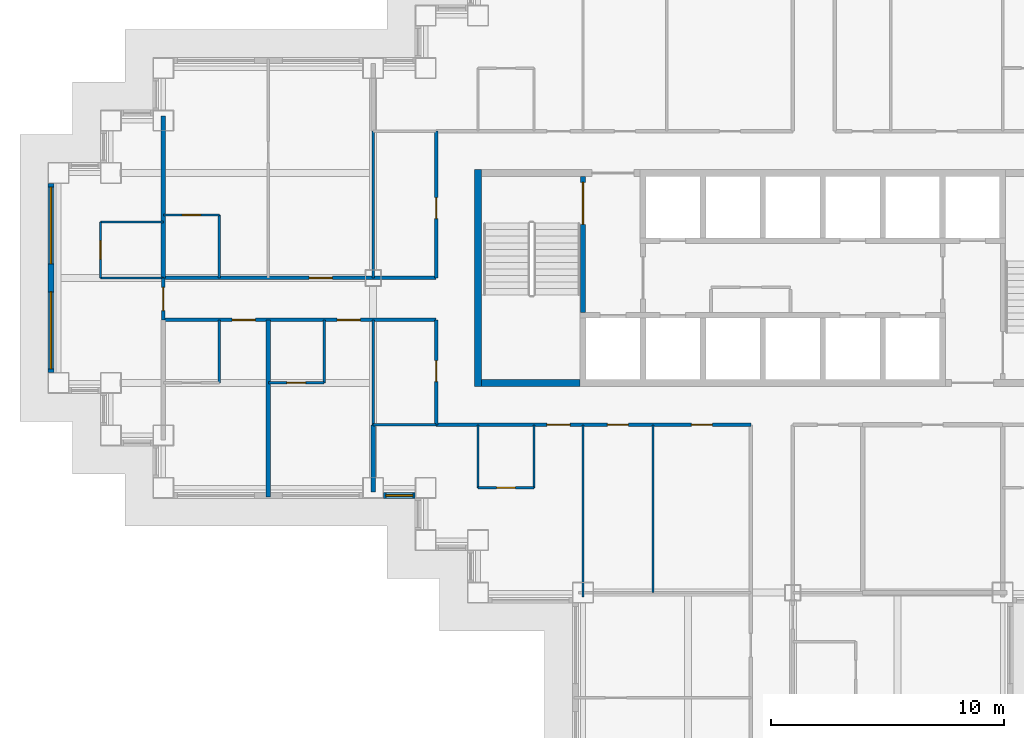
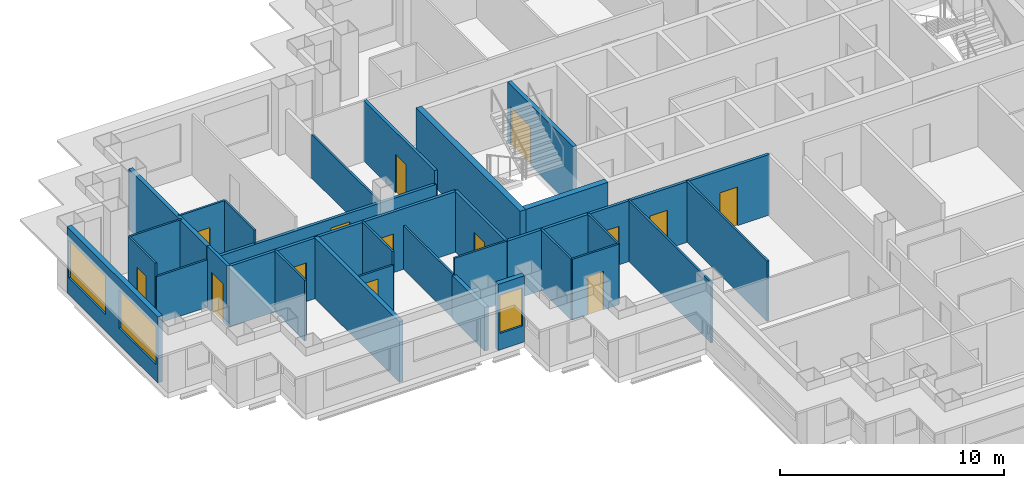
# One storey, part 4 of 15: 30 walls, 14 doors, 3 windows, 17 openings.
"""IFC4 building model written with IfcOpenShell, lengths in metres."""

from ifc_helpers import new_model, si_unit, direction, frame, frame_2d, origin, place, context, subcontext, project, spatial, rectangle, extrude, material, layer, layer_set, type_object, element, fill, save


model = new_model("IFC4")

# Units and contexts
model_context = context("Model", 3, precision=1e-05, world=origin(), true_north=direction((0.0, 1.0)))
body_context = subcontext(model_context, "Body", "Model", "MODEL_VIEW")
ifc_project = project(units=[si_unit("LENGTHUNIT", "METRE"), si_unit("AREAUNIT", "SQUARE_METRE"), si_unit("VOLUMEUNIT", "CUBIC_METRE"), si_unit("PLANEANGLEUNIT", "RADIAN"), si_unit("MASSUNIT", "GRAM", prefix="KILO")], contexts=[model_context])

# Site, building, storey
site_placement = place(None, origin())
site = spatial("IfcSite", under=ifc_project, at=site_placement, CompositionType="ELEMENT")
building_placement = place(site_placement, origin())
building = spatial("IfcBuilding", under=site, at=building_placement, Name="Caravel Reach Hotel and Residences", CompositionType="ELEMENT")
storey_placement = place(building_placement, frame((0.0, 0.0, 104.39990234375)))
storey = spatial("IfcBuildingStorey", under=building, at=storey_placement, Name="L25", CompositionType="ELEMENT", Elevation=104.39990234375)

# Wall, opening, door
ifc_material_1 = material(Name="Gypsum board on steel stud", Category="steel")
ifc_layer_1 = layer(ifc_material_1, 0.10009765625)
ifc_layer_set_1 = layer_set([ifc_layer_1], Name="Bathroom pod wall 100 mm")
wall_type_1 = type_object("IfcWallType", Name="Bathroom pod wall 100 mm", PredefinedType="PARTITIONING", material=ifc_layer_set_1)
wall_1_placement = place(storey_placement, frame((18.0, 18.0, 0.0), z_axis=(0.0, 0.0, 1.0), x_axis=(1.0, 0.0, 0.0)))
wall_1 = element("IfcWall", 1, at=wall_1_placement, inside=storey, type_object=wall_type_1, Name="L25 wall w083", PredefinedType="PARTITIONING", context=body_context, shape_type="SweptSolid", body=[
    extrude(rectangle(XDim=2.39990234375, YDim=0.10009765625, at=frame_2d((1.199951171875, 0.0))), origin(), (0.0, 0.0, 1.0), 3.300048828125),
])
opening_1_placement = place(wall_1_placement, frame((0.800048828125, 0.0, 0.0)))
opening_1 = element("IfcOpeningElement", 2, at=opening_1_placement, cuts=wall_1, Name="Opening D25-050", PredefinedType="OPENING", context=body_context, shape_type="SweptSolid", body=[
    extrude(rectangle(XDim=0.800048828125, YDim=2.10009765625, at=frame_2d((0.39990234375, 1.050048828125))), frame((0.0, 0.06005859375, 0.0), z_axis=(0.0, -1.0, 0.0), x_axis=(1.0, 0.0, 0.0)), (0.0, 0.0, 1.0), 0.1201171875),
])
ifc_material_2 = material(Name="Timber and steel door leaf", Category="steel")
door_type_1 = type_object("IfcDoorType", Name="Bathroom door 800 x 2100", OperationType="SINGLE_SWING_LEFT", PredefinedType="DOOR", material=ifc_material_2)
door_1_placement = place(opening_1_placement, origin())
door_1 = element("IfcDoor", 3, at=door_1_placement, inside=storey, type_object=door_type_1, Name="door D25-050", OperationType="SINGLE_SWING_RIGHT", OverallHeight=2.10009765625, OverallWidth=0.800048828125, PredefinedType="DOOR", context=body_context, shape_type="SweptSolid", body=[
    extrude(rectangle(XDim=0.800048828125, YDim=2.10009765625, at=frame_2d((0.39990234375, 1.050048828125))), frame((0.0, 0.02490234375, 0.0), z_axis=(0.0, -1.0, 0.0), x_axis=(1.0, 0.0, 0.0)), (0.0, 0.0, 1.0), 0.050048828125),
])
fill(opening_1, door_1)

wall_2_placement = place(storey_placement, frame((9.0, 22.5, 0.0), z_axis=(0.0, 0.0, 1.0), x_axis=(1.0, 0.0, 0.0)))
wall_2 = element("IfcWall", 4, at=wall_2_placement, inside=storey, type_object=wall_type_1, Name="L25 wall w085", PredefinedType="PARTITIONING", context=body_context, shape_type="SweptSolid", body=[
    extrude(rectangle(XDim=2.39990234375, YDim=0.10009765625, at=frame_2d((1.199951171875, 0.0))), origin(), (0.0, 0.0, 1.0), 2.580078125),
])
opening_2_placement = place(wall_2_placement, frame((0.800048828125, 0.0, 0.0)))
opening_2 = element("IfcOpeningElement", 5, at=opening_2_placement, cuts=wall_2, Name="Opening D25-016", PredefinedType="OPENING", context=body_context, shape_type="SweptSolid", body=[
    extrude(rectangle(XDim=0.800048828125, YDim=2.10009765625, at=frame_2d((0.39990234375, 1.050048828125))), frame((0.0, 0.06005859375, 0.0), z_axis=(0.0, -1.0, 0.0), x_axis=(1.0, 0.0, 0.0)), (0.0, 0.0, 1.0), 0.1201171875),
])
door_2_placement = place(opening_2_placement, origin())
door_2 = element("IfcDoor", 6, at=door_2_placement, inside=storey, type_object=door_type_1, Name="door D25-016", OperationType="SINGLE_SWING_LEFT", OverallHeight=2.10009765625, OverallWidth=0.800048828125, PredefinedType="DOOR", context=body_context, shape_type="SweptSolid", body=[
    extrude(rectangle(XDim=0.800048828125, YDim=2.10009765625, at=frame_2d((0.39990234375, 1.050048828125))), frame((0.0, 0.02490234375, 0.0), z_axis=(0.0, -1.0, 0.0), x_axis=(1.0, 0.0, 0.0)), (0.0, 0.0, 1.0), 0.050048828125),
])
fill(opening_2, door_2)

# Walls
wall_3_placement = place(storey_placement, frame((1.800048828125, 27.0, 0.0), z_axis=(0.0, 0.0, 1.0), x_axis=(1.0, 0.0, 0.0)))
element("IfcWall", 7, at=wall_3_placement, inside=storey, type_object=wall_type_1, Name="L25 wall w088", PredefinedType="PARTITIONING", context=body_context, shape_type="SweptSolid", body=[
    extrude(rectangle(XDim=2.699951171875, YDim=0.10009765625, at=frame_2d((1.35009765625, 0.0))), origin(), (0.0, 0.0, 1.0), 2.580078125),
])
wall_4_placement = place(storey_placement, frame((1.800048828125, 29.39990234375, 0.0), z_axis=(0.0, 0.0, 1.0), x_axis=(1.0, 0.0, 0.0)))
element("IfcWall", 8, at=wall_4_placement, inside=storey, type_object=wall_type_1, Name="L25 wall w089", PredefinedType="PARTITIONING", context=body_context, shape_type="SweptSolid", body=[
    extrude(rectangle(XDim=2.699951171875, YDim=0.10009765625, at=frame_2d((1.35009765625, 0.0))), origin(), (0.0, 0.0, 1.0), 3.300048828125),
])

# Wall, opening, door
wall_5_placement = place(storey_placement, frame((4.5, 29.699951171875, 0.0), z_axis=(0.0, 0.0, 1.0), x_axis=(1.0, 0.0, 0.0)))
wall_5 = element("IfcWall", 9, at=wall_5_placement, inside=storey, type_object=wall_type_1, Name="L25 wall w090", PredefinedType="PARTITIONING", context=body_context, shape_type="SweptSolid", body=[
    extrude(rectangle(XDim=2.39990234375, YDim=0.10009765625, at=frame_2d((1.199951171875, 0.0))), origin(), (0.0, 0.0, 1.0), 3.300048828125),
])
opening_3_placement = place(wall_5_placement, frame((0.800048828125, 0.0, 0.0)))
opening_3 = element("IfcOpeningElement", 10, at=opening_3_placement, cuts=wall_5, Name="Opening D25-021", PredefinedType="OPENING", context=body_context, shape_type="SweptSolid", body=[
    extrude(rectangle(XDim=0.800048828125, YDim=2.10009765625, at=frame_2d((0.39990234375, 1.050048828125))), frame((0.0, 0.06005859375, 0.0), z_axis=(0.0, -1.0, 0.0), x_axis=(1.0, 0.0, 0.0)), (0.0, 0.0, 1.0), 0.1201171875),
])
door_3_placement = place(opening_3_placement, origin())
door_3 = element("IfcDoor", 11, at=door_3_placement, inside=storey, type_object=door_type_1, Name="door D25-021", OperationType="SINGLE_SWING_LEFT", OverallHeight=2.10009765625, OverallWidth=0.800048828125, PredefinedType="DOOR", context=body_context, shape_type="SweptSolid", body=[
    extrude(rectangle(XDim=0.800048828125, YDim=2.10009765625, at=frame_2d((0.39990234375, 1.050048828125))), frame((0.0, 0.02490234375, 0.0), z_axis=(0.0, -1.0, 0.0), x_axis=(1.0, 0.0, 0.0)), (0.0, 0.0, 1.0), 0.050048828125),
])
fill(opening_3, door_3)

wall_6_placement = place(storey_placement, frame((1.800048828125, 27.0, 0.0), z_axis=(0.0, 0.0, 1.0), x_axis=(0.0, 1.0, 0.0)))
wall_6 = element("IfcWall", 12, at=wall_6_placement, inside=storey, type_object=wall_type_1, Name="L25 wall w098", PredefinedType="PARTITIONING", context=body_context, shape_type="SweptSolid", body=[
    extrude(rectangle(XDim=2.39990234375, YDim=0.10009765625, at=frame_2d((1.199951171875, 0.0))), origin(), (0.0, 0.0, 1.0), 3.300048828125),
])
opening_4_placement = place(wall_6_placement, frame((0.800048828125, 0.0, 0.0)))
opening_4 = element("IfcOpeningElement", 13, at=opening_4_placement, cuts=wall_6, Name="Opening D25-040", PredefinedType="OPENING", context=body_context, shape_type="SweptSolid", body=[
    extrude(rectangle(XDim=0.800048828125, YDim=2.10009765625, at=frame_2d((0.39990234375, 1.050048828125))), frame((0.0, 0.06005859375, 0.0), z_axis=(0.0, -1.0, 0.0), x_axis=(1.0, 0.0, 0.0)), (0.0, 0.0, 1.0), 0.1201171875),
])
door_4_placement = place(opening_4_placement, origin())
door_4 = element("IfcDoor", 14, at=door_4_placement, inside=storey, type_object=door_type_1, Name="door D25-040", OperationType="SINGLE_SWING_LEFT", OverallHeight=2.10009765625, OverallWidth=0.800048828125, PredefinedType="DOOR", context=body_context, shape_type="SweptSolid", body=[
    extrude(rectangle(XDim=0.800048828125, YDim=2.10009765625, at=frame_2d((0.39990234375, 1.050048828125))), frame((0.0, 0.02490234375, 0.0), z_axis=(0.0, -1.0, 0.0), x_axis=(1.0, 0.0, 0.0)), (0.0, 0.0, 1.0), 0.050048828125),
])
fill(opening_4, door_4)

# Walls
for number, where, z_axis, x_axis, name in (
    (15, (11.39990234375, 22.5, 0.0), (0.0, 0.0, 1.0), (0.0, 1.0, 0.0), "L25 wall w099"),
    (16, (18.0, 18.0, 0.0), (0.0, 0.0, 1.0), (0.0, 1.0, 0.0), "L25 wall w101"),
    (17, (20.39990234375, 18.0, 0.0), (0.0, 0.0, 1.0), (0.0, 1.0, 0.0), "L25 wall w103"),
    (18, (6.89990234375, 22.5, 0.0), (0.0, 0.0, 1.0), (0.0, 1.0, 0.0), "L25 wall w115"),
    (19, (6.89990234375, 27.0, 0.0), (0.0, 0.0, 1.0), (0.0, 1.0, 0.0), "L25 wall w116"),
):
    element("IfcWall", number, at=place(storey_placement, frame(where, z_axis=z_axis, x_axis=x_axis)), inside=storey, type_object=wall_type_1, Name=name, PredefinedType="PARTITIONING", context=body_context, shape_type="SweptSolid", body=[
        extrude(rectangle(XDim=2.699951171875, YDim=0.10009765625, at=frame_2d((1.35009765625, 0.0))), origin(), (0.0, 0.0, 1.0), 3.300048828125),
    ])
ifc_material_3 = material(Name="Concrete C60", Category="concrete")
ifc_layer_2 = layer(ifc_material_3, 0.300048828125)
ifc_layer_set_2 = layer_set([ifc_layer_2], Name="Core wall 300 mm EI 120")
wall_type_2 = type_object("IfcWallType", Name="Core wall 300 mm EI 120", PredefinedType="SHEAR", material=ifc_layer_set_2)
wall_7_placement = place(storey_placement, frame((18.14990234375, 22.5, 0.0), z_axis=(0.0, 0.0, 1.0), x_axis=(1.0, 0.0, 0.0)))
element("IfcWall", 20, at=wall_7_placement, inside=storey, type_object=wall_type_2, Name="L25 core wall S1", PredefinedType="SHEAR", context=body_context, shape_type="SweptSolid", body=[
    extrude(rectangle(XDim=4.22509765625, YDim=0.300048828125, at=frame_2d((2.112548828125, 0.0))), origin(), (0.0, 0.0, 1.0), 3.300048828125),
])
wall_8_placement = place(storey_placement, frame((18.0, 22.35009765625, 0.0), z_axis=(0.0, 0.0, 1.0), x_axis=(0.0, 1.0, 0.0)))
element("IfcWall", 21, at=wall_8_placement, inside=storey, type_object=wall_type_2, Name="L25 core wall W", PredefinedType="SHEAR", context=body_context, shape_type="SweptSolid", body=[
    extrude(rectangle(XDim=9.2998046875, YDim=0.300048828125, at=frame_2d((4.64990234375, 0.0))), origin(), (0.0, 0.0, 1.0), 3.300048828125),
])

# Wall, openings, doors
ifc_material_4 = material(Name="Gypsum board on steel stud, fire-rated", Category="steel")
ifc_layer_3 = layer(ifc_material_4, 0.14990234375)
ifc_layer_set_3 = layer_set([ifc_layer_3], Name="Corridor wall 150 mm EI 60")
wall_type_3 = type_object("IfcWallType", Name="Corridor wall 150 mm EI 60", PredefinedType="PARTITIONING", material=ifc_layer_set_3)
wall_9_placement = place(storey_placement, frame((16.199951171875, 20.699951171875, 0.0), z_axis=(0.0, 0.0, 1.0), x_axis=(1.0, 0.0, 0.0)))
wall_9 = element("IfcWall", 22, at=wall_9_placement, inside=storey, type_object=wall_type_3, Name="L25 wall w001", PredefinedType="PARTITIONING", context=body_context, shape_type="SweptSolid", body=[
    extrude(rectangle(XDim=13.5, YDim=0.14990234375, at=frame_2d((6.75, 0.0))), origin(), (0.0, 0.0, 1.0), 3.300048828125),
])
opening_5_placement = place(wall_9_placement, frame((4.75, 0.0, 0.0)))
opening_5 = element("IfcOpeningElement", 23, at=opening_5_placement, cuts=wall_9, Name="Opening D25-049", PredefinedType="OPENING", context=body_context, shape_type="SweptSolid", body=[
    extrude(rectangle(XDim=1.0, YDim=2.10009765625, at=frame_2d((0.5, 1.050048828125))), frame((0.0, 0.0849609375, 0.0), z_axis=(0.0, -1.0, 0.0), x_axis=(1.0, 0.0, 0.0)), (0.0, 0.0, 1.0), 0.169921875),
])
opening_6_placement = place(wall_9_placement, frame((7.35009765625, 0.0, 0.0)))
opening_6 = element("IfcOpeningElement", 24, at=opening_6_placement, cuts=wall_9, Name="Opening D25-057", PredefinedType="OPENING", context=body_context, shape_type="SweptSolid", body=[
    extrude(rectangle(XDim=0.89990234375, YDim=2.10009765625, at=frame_2d((0.449951171875, 1.050048828125))), frame((0.0, 0.0849609375, 0.0), z_axis=(0.0, -1.0, 0.0), x_axis=(1.0, 0.0, 0.0)), (0.0, 0.0, 1.0), 0.169921875),
])
opening_7_placement = place(wall_9_placement, frame((10.949951171875, 0.0, 0.0)))
opening_7 = element("IfcOpeningElement", 25, at=opening_7_placement, cuts=wall_9, Name="Opening D25-058", PredefinedType="OPENING", context=body_context, shape_type="SweptSolid", body=[
    extrude(rectangle(XDim=0.89990234375, YDim=2.10009765625, at=frame_2d((0.449951171875, 1.050048828125))), frame((0.0, 0.0849609375, 0.0), z_axis=(0.0, -1.0, 0.0), x_axis=(1.0, 0.0, 0.0)), (0.0, 0.0, 1.0), 0.169921875),
])
ifc_material_5 = material(Name="Timber and steel door leaf", Category="steel")
door_type_2 = type_object("IfcDoorType", Name="Door 900 x 2100 timber", OperationType="SINGLE_SWING_LEFT", PredefinedType="DOOR", material=ifc_material_5)
door_5_placement = place(opening_6_placement, origin())
door_5 = element("IfcDoor", 26, at=door_5_placement, inside=storey, type_object=door_type_2, Name="door D25-057", OperationType="SINGLE_SWING_RIGHT", OverallHeight=2.10009765625, OverallWidth=0.89990234375, PredefinedType="DOOR", context=body_context, shape_type="SweptSolid", body=[
    extrude(rectangle(XDim=0.89990234375, YDim=2.10009765625, at=frame_2d((0.449951171875, 1.050048828125))), frame((0.0, 0.02490234375, 0.0), z_axis=(0.0, -1.0, 0.0), x_axis=(1.0, 0.0, 0.0)), (0.0, 0.0, 1.0), 0.050048828125),
])
fill(opening_6, door_5)
door_6_placement = place(opening_7_placement, origin())
door_6 = element("IfcDoor", 27, at=door_6_placement, inside=storey, type_object=door_type_2, Name="door D25-058", OperationType="SINGLE_SWING_RIGHT", OverallHeight=2.10009765625, OverallWidth=0.89990234375, PredefinedType="DOOR", context=body_context, shape_type="SweptSolid", body=[
    extrude(rectangle(XDim=0.89990234375, YDim=2.10009765625, at=frame_2d((0.449951171875, 1.050048828125))), frame((0.0, 0.02490234375, 0.0), z_axis=(0.0, -1.0, 0.0), x_axis=(1.0, 0.0, 0.0)), (0.0, 0.0, 1.0), 0.050048828125),
])
fill(opening_7, door_6)
ifc_material_6 = material(Name="Steel fire door leaf", Category="steel")
door_type_3 = type_object("IfcDoorType", Name="Guest room door 1000 x 2100 EI 30", OperationType="SINGLE_SWING_LEFT", PredefinedType="DOOR", material=ifc_material_6)
door_7_placement = place(opening_5_placement, origin())
door_7 = element("IfcDoor", 28, at=door_7_placement, inside=storey, type_object=door_type_3, Name="door D25-049", OperationType="SINGLE_SWING_RIGHT", OverallHeight=2.10009765625, OverallWidth=1.0, PredefinedType="DOOR", context=body_context, shape_type="SweptSolid", body=[
    extrude(rectangle(XDim=1.0, YDim=2.10009765625, at=frame_2d((0.5, 1.050048828125))), frame((0.0, 0.02490234375, 0.0), z_axis=(0.0, -1.0, 0.0), x_axis=(1.0, 0.0, 0.0)), (0.0, 0.0, 1.0), 0.050048828125),
])
fill(opening_5, door_7)

wall_10_placement = place(storey_placement, frame((4.5, 25.199951171875, 0.0), z_axis=(0.0, 0.0, 1.0), x_axis=(1.0, 0.0, 0.0)))
wall_10 = element("IfcWall", 29, at=wall_10_placement, inside=storey, type_object=wall_type_3, Name="L25 wall w007", PredefinedType="PARTITIONING", context=body_context, shape_type="SweptSolid", body=[
    extrude(rectangle(XDim=11.699951171875, YDim=0.14990234375, at=frame_2d((5.85009765625, 0.0))), origin(), (0.0, 0.0, 1.0), 3.300048828125),
])
opening_8_placement = place(wall_10_placement, frame((7.449951171875, 0.0, 0.0)))
opening_8 = element("IfcOpeningElement", 30, at=opening_8_placement, cuts=wall_10, Name="Opening D25-015", PredefinedType="OPENING", context=body_context, shape_type="SweptSolid", body=[
    extrude(rectangle(XDim=1.0, YDim=2.10009765625, at=frame_2d((0.5, 1.050048828125))), frame((0.0, 0.0849609375, 0.0), z_axis=(0.0, -1.0, 0.0), x_axis=(1.0, 0.0, 0.0)), (0.0, 0.0, 1.0), 0.169921875),
])
opening_9_placement = place(wall_10_placement, frame((2.949951171875, 0.0, 0.0)))
opening_9 = element("IfcOpeningElement", 31, at=opening_9_placement, cuts=wall_10, Name="Opening D25-017", PredefinedType="OPENING", context=body_context, shape_type="SweptSolid", body=[
    extrude(rectangle(XDim=1.0, YDim=2.10009765625, at=frame_2d((0.5, 1.050048828125))), frame((0.0, 0.0849609375, 0.0), z_axis=(0.0, -1.0, 0.0), x_axis=(1.0, 0.0, 0.0)), (0.0, 0.0, 1.0), 0.169921875),
])
door_8_placement = place(opening_8_placement, origin())
door_8 = element("IfcDoor", 32, at=door_8_placement, inside=storey, type_object=door_type_3, Name="door D25-015", OperationType="SINGLE_SWING_RIGHT", OverallHeight=2.10009765625, OverallWidth=1.0, PredefinedType="DOOR", context=body_context, shape_type="SweptSolid", body=[
    extrude(rectangle(XDim=1.0, YDim=2.10009765625, at=frame_2d((0.5, 1.050048828125))), frame((0.0, 0.02490234375, 0.0), z_axis=(0.0, -1.0, 0.0), x_axis=(1.0, 0.0, 0.0)), (0.0, 0.0, 1.0), 0.050048828125),
])
fill(opening_8, door_8)
door_9_placement = place(opening_9_placement, origin())
door_9 = element("IfcDoor", 33, at=door_9_placement, inside=storey, type_object=door_type_3, Name="door D25-017", OperationType="SINGLE_SWING_RIGHT", OverallHeight=2.10009765625, OverallWidth=1.0, PredefinedType="DOOR", context=body_context, shape_type="SweptSolid", body=[
    extrude(rectangle(XDim=1.0, YDim=2.10009765625, at=frame_2d((0.5, 1.050048828125))), frame((0.0, 0.02490234375, 0.0), z_axis=(0.0, -1.0, 0.0), x_axis=(1.0, 0.0, 0.0)), (0.0, 0.0, 1.0), 0.050048828125),
])
fill(opening_9, door_9)

# Wall, opening, door
wall_11_placement = place(storey_placement, frame((4.5, 27.0, 0.0), z_axis=(0.0, 0.0, 1.0), x_axis=(1.0, 0.0, 0.0)))
wall_11 = element("IfcWall", 34, at=wall_11_placement, inside=storey, type_object=wall_type_3, Name="L25 wall w013", PredefinedType="PARTITIONING", context=body_context, shape_type="SweptSolid", body=[
    extrude(rectangle(XDim=11.699951171875, YDim=0.14990234375, at=frame_2d((5.85009765625, 0.0))), origin(), (0.0, 0.0, 1.0), 2.580078125),
])
opening_10_placement = place(wall_11_placement, frame((6.25, 0.0, 0.0)))
opening_10 = element("IfcOpeningElement", 35, at=opening_10_placement, cuts=wall_11, Name="Opening D25-019", PredefinedType="OPENING", context=body_context, shape_type="SweptSolid", body=[
    extrude(rectangle(XDim=1.0, YDim=2.10009765625, at=frame_2d((0.5, 1.050048828125))), frame((0.0, 0.0849609375, 0.0), z_axis=(0.0, -1.0, 0.0), x_axis=(1.0, 0.0, 0.0)), (0.0, 0.0, 1.0), 0.169921875),
])
door_10_placement = place(opening_10_placement, origin())
door_10 = element("IfcDoor", 36, at=door_10_placement, inside=storey, type_object=door_type_3, Name="door D25-019", OperationType="SINGLE_SWING_LEFT", OverallHeight=2.10009765625, OverallWidth=1.0, PredefinedType="DOOR", context=body_context, shape_type="SweptSolid", body=[
    extrude(rectangle(XDim=1.0, YDim=2.10009765625, at=frame_2d((0.5, 1.050048828125))), frame((0.0, 0.02490234375, 0.0), z_axis=(0.0, -1.0, 0.0), x_axis=(1.0, 0.0, 0.0)), (0.0, 0.0, 1.0), 0.050048828125),
])
fill(opening_10, door_10)

wall_12_placement = place(storey_placement, frame((16.199951171875, 27.0, 0.0), z_axis=(0.0, 0.0, 1.0), x_axis=(0.0, 1.0, 0.0)))
wall_12 = element("IfcWall", 37, at=wall_12_placement, inside=storey, type_object=wall_type_3, Name="L25 wall w026", PredefinedType="PARTITIONING", context=body_context, shape_type="SweptSolid", body=[
    extrude(rectangle(XDim=6.300048828125, YDim=0.14990234375, at=frame_2d((3.14990234375, 0.0))), origin(), (0.0, 0.0, 1.0), 3.300048828125),
])
opening_11_placement = place(wall_12_placement, frame((2.550048828125, 0.0, 0.0)))
opening_11 = element("IfcOpeningElement", 38, at=opening_11_placement, cuts=wall_12, Name="Opening D25-062", PredefinedType="OPENING", context=body_context, shape_type="SweptSolid", body=[
    extrude(rectangle(XDim=0.89990234375, YDim=2.10009765625, at=frame_2d((0.449951171875, 1.050048828125))), frame((0.0, 0.0849609375, 0.0), z_axis=(0.0, -1.0, 0.0), x_axis=(1.0, 0.0, 0.0)), (0.0, 0.0, 1.0), 0.169921875),
])
door_11_placement = place(opening_11_placement, origin())
door_11 = element("IfcDoor", 39, at=door_11_placement, inside=storey, type_object=door_type_2, Name="door D25-062", OperationType="SINGLE_SWING_LEFT", OverallHeight=2.10009765625, OverallWidth=0.89990234375, PredefinedType="DOOR", context=body_context, shape_type="SweptSolid", body=[
    extrude(rectangle(XDim=0.89990234375, YDim=2.10009765625, at=frame_2d((0.449951171875, 1.050048828125))), frame((0.0, 0.02490234375, 0.0), z_axis=(0.0, -1.0, 0.0), x_axis=(1.0, 0.0, 0.0)), (0.0, 0.0, 1.0), 0.050048828125),
])
fill(opening_11, door_11)

wall_13_placement = place(storey_placement, frame((16.199951171875, 20.699951171875, 0.0), z_axis=(0.0, 0.0, 1.0), x_axis=(0.0, 1.0, 0.0)))
wall_13 = element("IfcWall", 40, at=wall_13_placement, inside=storey, type_object=wall_type_3, Name="L25 wall w027", PredefinedType="PARTITIONING", context=body_context, shape_type="SweptSolid", body=[
    extrude(rectangle(XDim=4.5, YDim=0.14990234375, at=frame_2d((2.25, 0.0))), origin(), (0.0, 0.0, 1.0), 3.300048828125),
])
opening_12_placement = place(wall_13_placement, frame((1.85009765625, 0.0, 0.0)))
opening_12 = element("IfcOpeningElement", 41, at=opening_12_placement, cuts=wall_13, Name="Opening D25-061", PredefinedType="OPENING", context=body_context, shape_type="SweptSolid", body=[
    extrude(rectangle(XDim=0.89990234375, YDim=2.10009765625, at=frame_2d((0.449951171875, 1.050048828125))), frame((0.0, 0.0849609375, 0.0), z_axis=(0.0, -1.0, 0.0), x_axis=(1.0, 0.0, 0.0)), (0.0, 0.0, 1.0), 0.169921875),
])
door_12_placement = place(opening_12_placement, origin())
door_12 = element("IfcDoor", 42, at=door_12_placement, inside=storey, type_object=door_type_2, Name="door D25-061", OperationType="SINGLE_SWING_LEFT", OverallHeight=2.10009765625, OverallWidth=0.89990234375, PredefinedType="DOOR", context=body_context, shape_type="SweptSolid", body=[
    extrude(rectangle(XDim=0.89990234375, YDim=2.10009765625, at=frame_2d((0.449951171875, 1.050048828125))), frame((0.0, 0.02490234375, 0.0), z_axis=(0.0, -1.0, 0.0), x_axis=(1.0, 0.0, 0.0)), (0.0, 0.0, 1.0), 0.050048828125),
])
fill(opening_12, door_12)

wall_14_placement = place(storey_placement, frame((4.5, 25.199951171875, 0.0), z_axis=(0.0, 0.0, 1.0), x_axis=(0.0, 1.0, 0.0)))
wall_14 = element("IfcWall", 43, at=wall_14_placement, inside=storey, type_object=wall_type_3, Name="L25 wall w038", PredefinedType="PARTITIONING", context=body_context, shape_type="SweptSolid", body=[
    extrude(rectangle(XDim=1.800048828125, YDim=0.14990234375, at=frame_2d((0.89990234375, 0.0))), origin(), (0.0, 0.0, 1.0), 3.300048828125),
])
opening_13_placement = place(wall_14_placement, frame((0.39990234375, 0.0, 0.0)))
opening_13 = element("IfcOpeningElement", 44, at=opening_13_placement, cuts=wall_14, Name="Opening D25-039", PredefinedType="OPENING", context=body_context, shape_type="SweptSolid", body=[
    extrude(rectangle(XDim=1.0, YDim=2.10009765625, at=frame_2d((0.5, 1.050048828125))), frame((0.0, 0.0849609375, 0.0), z_axis=(0.0, -1.0, 0.0), x_axis=(1.0, 0.0, 0.0)), (0.0, 0.0, 1.0), 0.169921875),
])
door_13_placement = place(opening_13_placement, origin())
door_13 = element("IfcDoor", 45, at=door_13_placement, inside=storey, type_object=door_type_3, Name="door D25-039", OperationType="SINGLE_SWING_RIGHT", OverallHeight=2.10009765625, OverallWidth=1.0, PredefinedType="DOOR", context=body_context, shape_type="SweptSolid", body=[
    extrude(rectangle(XDim=1.0, YDim=2.10009765625, at=frame_2d((0.5, 1.050048828125))), frame((0.0, 0.02490234375, 0.0), z_axis=(0.0, -1.0, 0.0), x_axis=(1.0, 0.0, 0.0)), (0.0, 0.0, 1.0), 0.050048828125),
])
fill(opening_13, door_13)

# Wall, openings, windows
ifc_material_7 = material(Name="Insulated rainscreen wall, aluminium cladding", Category="aluminium")
ifc_layer_4 = layer(ifc_material_7, 0.25)
ifc_layer_set_4 = layer_set([ifc_layer_4], Name="EW1 Tower rainscreen wall")
wall_type_4 = type_object("IfcWallType", Name="EW1 Tower rainscreen wall", PredefinedType="SOLIDWALL", material=ifc_layer_set_4)
wall_15_placement = place(storey_placement, frame((-0.324951171875, 31.050048828125, 0.0), z_axis=(0.0, 0.0, 1.0), x_axis=(0.0, -1.0, 0.0)))
wall_15 = element("IfcWall", 46, at=wall_15_placement, inside=storey, type_object=wall_type_4, Name="External wall L25 W50.1", PredefinedType="SOLIDWALL", context=body_context, shape_type="SweptSolid", body=[
    extrude(rectangle(XDim=8.10009765625, YDim=0.25, at=frame_2d((4.050048828125, 0.0))), origin(), (0.0, 0.0, 1.0), 3.60009765625),
])
opening_14_placement = place(wall_15_placement, frame((0.14990234375, 0.0, 0.89990234375)))
opening_14 = element("IfcOpeningElement", 47, at=opening_14_placement, cuts=wall_15, Name="Opening WN4", PredefinedType="OPENING", context=body_context, shape_type="SweptSolid", body=[
    extrude(rectangle(XDim=3.300048828125, YDim=2.080078125, at=frame_2d((1.64990234375, 1.0400390625))), frame((0.0, 0.135009765625, 0.0), z_axis=(0.0, -1.0, 0.0), x_axis=(1.0, 0.0, 0.0)), (0.0, 0.0, 1.0), 0.27001953125),
])
opening_15_placement = place(wall_15_placement, frame((4.64990234375, 0.0, 0.89990234375)))
opening_15 = element("IfcOpeningElement", 48, at=opening_15_placement, cuts=wall_15, Name="Opening WN4", PredefinedType="OPENING", context=body_context, shape_type="SweptSolid", body=[
    extrude(rectangle(XDim=3.300048828125, YDim=2.080078125, at=frame_2d((1.64990234375, 1.0400390625))), frame((0.0, 0.135009765625, 0.0), z_axis=(0.0, -1.0, 0.0), x_axis=(1.0, 0.0, 0.0)), (0.0, 0.0, 1.0), 0.27001953125),
])
ifc_material_8 = material(Name="Dark low-e glazing in black aluminium frame", Category="aluminium")
window_type_1 = type_object("IfcWindowType", Name="Hotel guest room window 3300 x 2080", PartitioningType="SINGLE_PANEL", PredefinedType="WINDOW", material=ifc_material_8)
window_1_placement = place(opening_14_placement, origin())
window_1 = element("IfcWindow", 49, at=window_1_placement, inside=storey, type_object=window_type_1, Name="Window L25 W50.1.1", OverallHeight=2.080078125, OverallWidth=3.300048828125, PartitioningType="SINGLE_PANEL", PredefinedType="WINDOW", context=body_context, shape_type="SweptSolid", body=[
    extrude(rectangle(XDim=3.300048828125, YDim=2.080078125, at=frame_2d((1.64990234375, 1.0400390625))), frame((0.0, 0.030029296875, 0.0), z_axis=(0.0, -1.0, 0.0), x_axis=(1.0, 0.0, 0.0)), (0.0, 0.0, 1.0), 0.06005859375),
])
fill(opening_14, window_1)
window_2_placement = place(opening_15_placement, origin())
window_2 = element("IfcWindow", 50, at=window_2_placement, inside=storey, type_object=window_type_1, Name="Window L25 W50.1.2", OverallHeight=2.080078125, OverallWidth=3.300048828125, PartitioningType="SINGLE_PANEL", PredefinedType="WINDOW", context=body_context, shape_type="SweptSolid", body=[
    extrude(rectangle(XDim=3.300048828125, YDim=2.080078125, at=frame_2d((1.64990234375, 1.0400390625))), frame((0.0, 0.030029296875, 0.0), z_axis=(0.0, -1.0, 0.0), x_axis=(1.0, 0.0, 0.0)), (0.0, 0.0, 1.0), 0.06005859375),
])
fill(opening_15, window_2)

# Wall, opening, window
wall_16_placement = place(storey_placement, frame((13.949951171875, 17.675048828125, 0.0), z_axis=(0.0, 0.0, 1.0), x_axis=(1.0, 0.0, 0.0)))
wall_16 = element("IfcWall", 51, at=wall_16_placement, inside=storey, type_object=wall_type_4, Name="External wall L25 S55.2", PredefinedType="SOLIDWALL", context=body_context, shape_type="SweptSolid", body=[
    extrude(rectangle(XDim=1.35009765625, YDim=0.25, at=frame_2d((0.675048828125, 0.0))), origin(), (0.0, 0.0, 1.0), 3.60009765625),
])
opening_16_placement = place(wall_16_placement, frame((0.10009765625, 0.0, 0.89990234375)))
opening_16 = element("IfcOpeningElement", 52, at=opening_16_placement, cuts=wall_16, Name="Opening WN8", PredefinedType="OPENING", context=body_context, shape_type="SweptSolid", body=[
    extrude(rectangle(XDim=1.14990234375, YDim=2.080078125, at=frame_2d((0.574951171875, 1.0400390625))), frame((0.0, 0.135009765625, 0.0), z_axis=(0.0, -1.0, 0.0), x_axis=(1.0, 0.0, 0.0)), (0.0, 0.0, 1.0), 0.27001953125),
])
ifc_material_9 = material(Name="Dark low-e glazing in black aluminium frame", Category="aluminium")
window_type_2 = type_object("IfcWindowType", Name="Hotel suite corner window 1150 x 2080", PartitioningType="SINGLE_PANEL", PredefinedType="WINDOW", material=ifc_material_9)
window_3_placement = place(opening_16_placement, origin())
window_3 = element("IfcWindow", 53, at=window_3_placement, inside=storey, type_object=window_type_2, Name="Window L25 S55.2.1", OverallHeight=2.080078125, OverallWidth=1.14990234375, PartitioningType="SINGLE_PANEL", PredefinedType="WINDOW", context=body_context, shape_type="SweptSolid", body=[
    extrude(rectangle(XDim=1.14990234375, YDim=2.080078125, at=frame_2d((0.574951171875, 1.0400390625))), frame((0.0, 0.030029296875, 0.0), z_axis=(0.0, -1.0, 0.0), x_axis=(1.0, 0.0, 0.0)), (0.0, 0.0, 1.0), 0.06005859375),
])
fill(opening_16, window_3)

# Walls
ifc_material_10 = material(Name="Gypsum board on steel stud", Category="steel")
ifc_layer_5 = layer(ifc_material_10, 0.10009765625)
ifc_layer_set_5 = layer_set([ifc_layer_5], Name="Partition 100 mm")
wall_type_5 = type_object("IfcWallType", Name="Partition 100 mm", PredefinedType="PARTITIONING", material=ifc_layer_set_5)
wall_17_placement = place(storey_placement, frame((13.5, 20.699951171875, 0.0), z_axis=(0.0, 0.0, 1.0), x_axis=(1.0, 0.0, 0.0)))
element("IfcWall", 54, at=wall_17_placement, inside=storey, type_object=wall_type_5, Name="L25 wall w045", PredefinedType="PARTITIONING", context=body_context, shape_type="SweptSolid", body=[
    extrude(rectangle(XDim=2.699951171875, YDim=0.10009765625, at=frame_2d((1.35009765625, 0.0))), origin(), (0.0, 0.0, 1.0), 3.300048828125),
])
wall_18_placement = place(storey_placement, frame((13.5, 20.699951171875, 0.0), z_axis=(0.0, 0.0, 1.0), x_axis=(0.0, 1.0, 0.0)))
element("IfcWall", 55, at=wall_18_placement, inside=storey, type_object=wall_type_5, Name="L25 wall w056", PredefinedType="PARTITIONING", context=body_context, shape_type="SweptSolid", body=[
    extrude(rectangle(XDim=4.5, YDim=0.10009765625, at=frame_2d((2.25, 0.0))), origin(), (0.0, 0.0, 1.0), 2.380126953125),
])
wall_19_placement = place(storey_placement, frame((13.5, 27.0, 0.0), z_axis=(0.0, 0.0, 1.0), x_axis=(0.0, 1.0, 0.0)))
element("IfcWall", 56, at=wall_19_placement, inside=storey, type_object=wall_type_5, Name="L25 wall w057", PredefinedType="PARTITIONING", context=body_context, shape_type="SweptSolid", body=[
    extrude(rectangle(XDim=6.300048828125, YDim=0.10009765625, at=frame_2d((3.14990234375, 0.0))), origin(), (0.0, 0.0, 1.0), 2.380126953125),
])
wall_20_placement = place(storey_placement, frame((22.5, 13.31005859375, 0.0), z_axis=(0.0, 0.0, 1.0), x_axis=(0.0, 1.0, 0.0)))
element("IfcWall", 57, at=wall_20_placement, inside=storey, type_object=wall_type_5, Name="L25 wall w059", PredefinedType="PARTITIONING", context=body_context, shape_type="SweptSolid", body=[
    extrude(rectangle(XDim=7.389892578125, YDim=0.10009765625, at=frame_2d((3.69482421875, 0.0))), origin(), (0.0, 0.0, 1.0), 3.300048828125),
])
wall_21_placement = place(storey_placement, frame((25.5, 13.5, 0.0), z_axis=(0.0, 0.0, 1.0), x_axis=(0.0, 1.0, 0.0)))
element("IfcWall", 58, at=wall_21_placement, inside=storey, type_object=wall_type_5, Name="L25 wall w060", PredefinedType="PARTITIONING", context=body_context, shape_type="SweptSolid", body=[
    extrude(rectangle(XDim=7.199951171875, YDim=0.10009765625, at=frame_2d((3.60009765625, 0.0))), origin(), (0.0, 0.0, 1.0), 3.300048828125),
])
ifc_material_11 = material(Name="Autoclaved aerated block wall")
ifc_layer_6 = layer(ifc_material_11, 0.199951171875)
ifc_layer_set_6 = layer_set([ifc_layer_6], Name="Party wall 200 mm EI 60")
wall_type_6 = type_object("IfcWallType", Name="Party wall 200 mm EI 60", PredefinedType="PARTITIONING", material=ifc_layer_set_6)
wall_22_placement = place(storey_placement, frame((13.5, 17.81005859375, 0.0), z_axis=(0.0, 0.0, 1.0), x_axis=(0.0, 1.0, 0.0)))
element("IfcWall", 59, at=wall_22_placement, inside=storey, type_object=wall_type_6, Name="L25 wall w074", PredefinedType="PARTITIONING", context=body_context, shape_type="SweptSolid", body=[
    extrude(rectangle(XDim=2.889892578125, YDim=0.199951171875, at=frame_2d((1.44482421875, 0.0))), origin(), (0.0, 0.0, 1.0), 2.380126953125),
])
wall_23_placement = place(storey_placement, frame((4.5, 27.0, 0.0), z_axis=(0.0, 0.0, 1.0), x_axis=(0.0, 1.0, 0.0)))
element("IfcWall", 60, at=wall_23_placement, inside=storey, type_object=wall_type_6, Name="L25 wall w077", PredefinedType="PARTITIONING", context=body_context, shape_type="SweptSolid", body=[
    extrude(rectangle(XDim=6.93994140625, YDim=0.199951171875, at=frame_2d((3.469970703125, 0.0))), origin(), (0.0, 0.0, 1.0), 3.300048828125),
])
wall_24_placement = place(storey_placement, frame((9.0, 17.610107421875, 0.0), z_axis=(0.0, 0.0, 1.0), x_axis=(0.0, 1.0, 0.0)))
element("IfcWall", 61, at=wall_24_placement, inside=storey, type_object=wall_type_6, Name="L25 wall w080", PredefinedType="PARTITIONING", context=body_context, shape_type="SweptSolid", body=[
    extrude(rectangle(XDim=7.58984375, YDim=0.199951171875, at=frame_2d((3.794921875, 0.0))), origin(), (0.0, 0.0, 1.0), 3.300048828125),
])

# Wall, opening, door
ifc_material_12 = material(Name="Concrete C60", Category="concrete")
ifc_layer_7 = layer(ifc_material_12, 0.199951171875)
ifc_layer_set_7 = layer_set([ifc_layer_7], Name="Stair enclosure wall 200 mm EI 120")
wall_type_7 = type_object("IfcWallType", Name="Stair enclosure wall 200 mm EI 120", PredefinedType="SHEAR", material=ifc_layer_set_7)
wall_25_placement = place(storey_placement, frame((22.5, 31.35009765625, 0.0), z_axis=(0.0, 0.0, 1.0), x_axis=(0.0, -1.0, 0.0)))
wall_25 = element("IfcWall", 62, at=wall_25_placement, inside=storey, type_object=wall_type_7, Name="L25 stair A wall", PredefinedType="SHEAR", context=body_context, shape_type="SweptSolid", body=[
    extrude(rectangle(XDim=5.8251953125, YDim=0.199951171875, at=frame_2d((2.91259765625, 0.0))), origin(), (0.0, 0.0, 1.0), 3.300048828125),
])
opening_17_placement = place(wall_25_placement, frame((0.25, 0.0, 0.0)))
opening_17 = element("IfcOpeningElement", 63, at=opening_17_placement, cuts=wall_25, Name="Opening D25-009", PredefinedType="OPENING", context=body_context, shape_type="SweptSolid", body=[
    extrude(rectangle(XDim=1.800048828125, YDim=2.10009765625, at=frame_2d((0.89990234375, 1.050048828125))), frame((0.0, 0.10986328125, 0.0), z_axis=(0.0, -1.0, 0.0), x_axis=(1.0, 0.0, 0.0)), (0.0, 0.0, 1.0), 0.219970703125),
])
ifc_material_13 = material(Name="Steel fire door leaf", Category="steel")
door_type_4 = type_object("IfcDoorType", Name="Stair door pair 1800 x 2100 EI 90", OperationType="DOUBLE_DOOR_SINGLE_SWING", PredefinedType="DOOR", material=ifc_material_13)
door_14_placement = place(opening_17_placement, origin())
door_14 = element("IfcDoor", 64, at=door_14_placement, inside=storey, type_object=door_type_4, Name="stair A door pair", OperationType="DOUBLE_DOOR_SINGLE_SWING", OverallHeight=2.10009765625, OverallWidth=1.800048828125, PredefinedType="DOOR", context=body_context, shape_type="SweptSolid", body=[
    extrude(rectangle(XDim=1.800048828125, YDim=2.10009765625, at=frame_2d((0.89990234375, 1.050048828125))), frame((0.0, 0.02490234375, 0.0), z_axis=(0.0, -1.0, 0.0), x_axis=(1.0, 0.0, 0.0)), (0.0, 0.0, 1.0), 0.050048828125),
])
fill(opening_17, door_14)

save(model, "model.ifc")
